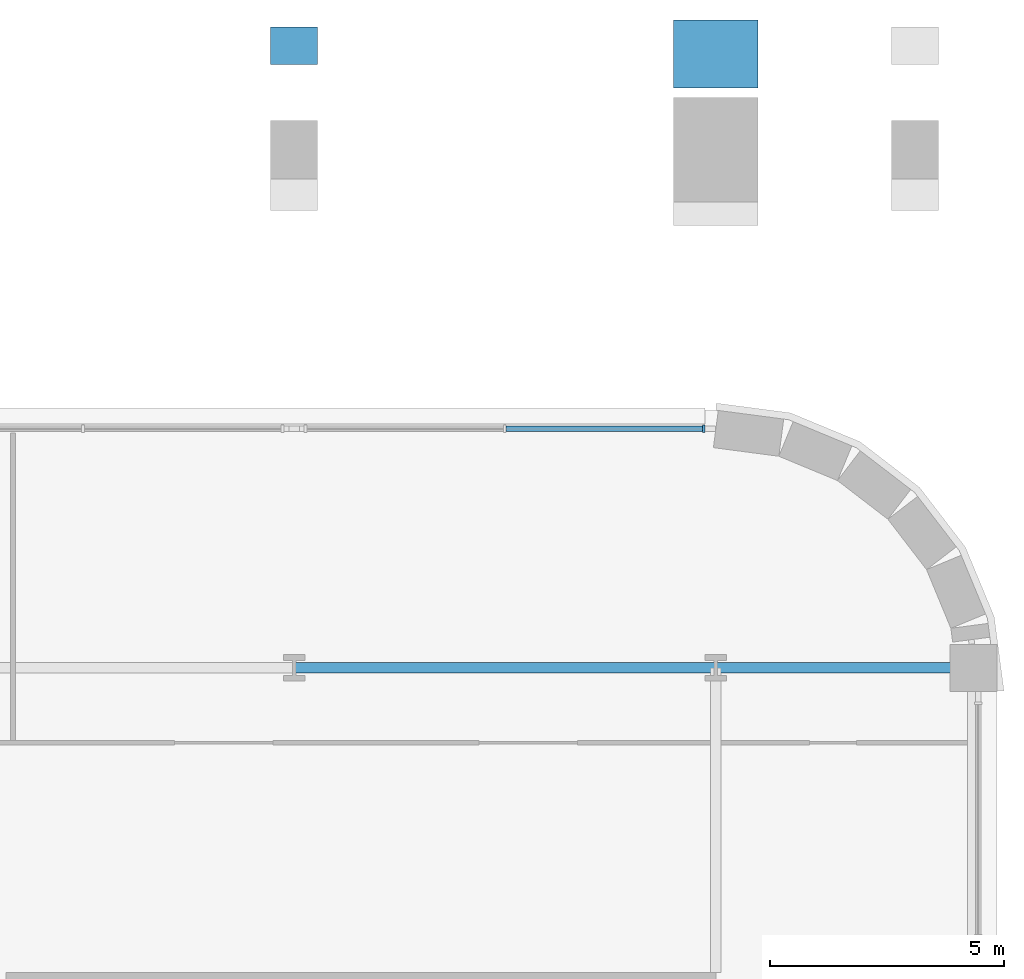
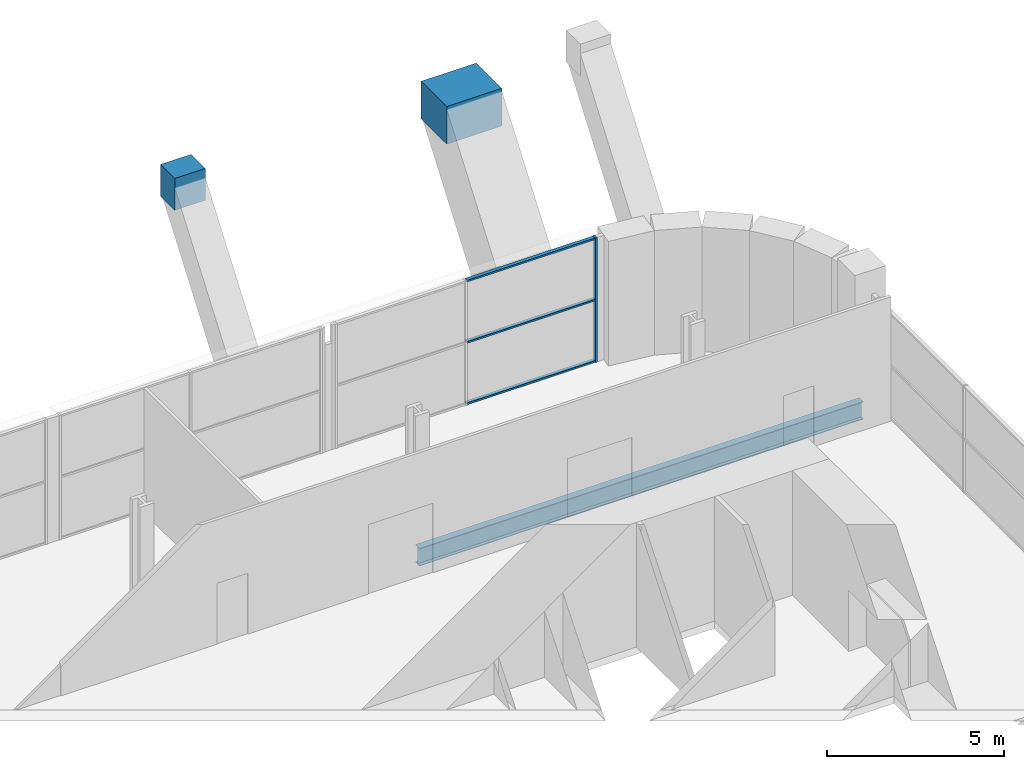
# One storey, part 11 of 24: 4 members, 3 beams, 1 element without a shape of its own.
"""IFC4 building model written with IfcOpenShell, lengths in metres."""

from ifc_helpers import new_model, si_unit, direction, frame, origin, origin_2d, place, context, subcontext, project, spatial, rectangle, i_section, extrude, material, material_profile, profile_set, type_object, element, aggregate, save


model = new_model("IFC4")

# Units and contexts
model_context = context("Model", 3, precision=1e-05, world=origin(), true_north=direction((0.0, 1.0)))
body_context = subcontext(model_context, "Body", "Model", "MODEL_VIEW")
ifc_project = project(units=[si_unit("LENGTHUNIT", "METRE"), si_unit("AREAUNIT", "SQUARE_METRE"), si_unit("VOLUMEUNIT", "CUBIC_METRE"), si_unit("PLANEANGLEUNIT", "RADIAN"), si_unit("MASSUNIT", "GRAM", prefix="KILO")], contexts=[model_context])

# Site, building, storey
site_placement = place(None, origin())
site = spatial("IfcSite", under=ifc_project, at=site_placement, CompositionType="ELEMENT")
building_placement = place(site_placement, origin())
building = spatial("IfcBuilding", under=site, at=building_placement, Name="Zellij Exchange Tower", CompositionType="ELEMENT")
storey_placement = place(building_placement, frame((0.0, 0.0, 48.0)))
storey = spatial("IfcBuildingStorey", under=building, at=storey_placement, Name="L08", CompositionType="ELEMENT", Elevation=48.0)

# Curtain wall, members
ifc_material_1 = material(Name="Aluminium frame, clear insulating glass", Category="aluminium")
curtain_wall_type = type_object("IfcCurtainWallType", Name="ENV-CW1 Sky-garden glazing", PredefinedType="NOTDEFINED", material=ifc_material_1)
curtain_wall_placement = place(storey_placement, origin())
curtain_wall = element("IfcCurtainWall", 1, at=curtain_wall_placement, inside=storey, type_object=curtain_wall_type, Name="cw.L08.14a.a", PredefinedType="NOTDEFINED")
ifc_material_2 = material(Name="Aluminium", Category="aluminium")
ifc_material_profile_1 = material_profile(ifc_material_2, rectangle(XDim=0.06005859375, YDim=0.159912109375, at=origin_2d()), Name="AL 60x160")
ifc_profile_set_1 = profile_set([ifc_material_profile_1], Name="Aluminium")
member_type_1 = type_object("IfcMemberType", Name="ENV-CW1M Mullion 60x160", PredefinedType="MULLION", material=ifc_profile_set_1)
member_1_placement = place(storey_placement, frame((26.743896484375, 9.60009765625, 0.0), z_axis=(0.0, 0.0, 1.0), x_axis=(-1.0, 0.0, 0.0)))
member_1 = element("IfcMember", 2, at=member_1_placement, type_object=member_type_1, Name="CW1 mullion 1", PredefinedType="MULLION", context=body_context, shape_type="SweptSolid", body=[
    extrude(rectangle(XDim=0.06005859375, YDim=0.159912109375, at=origin_2d()), origin(), (0.0, 0.0, 1.0), 4.300048828125),
])
ifc_material_profile_2 = material_profile(ifc_material_2, rectangle(XDim=0.1201171875, YDim=0.06005859375, at=origin_2d()), Name="AL 120x60")
ifc_profile_set_2 = profile_set([ifc_material_profile_2], Name="Aluminium")
member_type_2 = type_object("IfcMemberType", Name="ENV-CW1T Transom 120x60", PredefinedType="USERDEFINED", material=ifc_profile_set_2)
member_2_placement = place(storey_placement, frame((26.7138671875, 9.60009765625, 0.030029296875), z_axis=(-1.0, 0.0, 0.0), x_axis=(0.0, -1.0, 0.0)))
member_2 = element("IfcMember", 3, at=member_2_placement, type_object=member_type_2, Name="CW1 transom 1.1", ObjectType="TRANSOM", PredefinedType="USERDEFINED", context=body_context, shape_type="SweptSolid", body=[
    extrude(rectangle(XDim=0.1201171875, YDim=0.06005859375, at=origin_2d()), origin(), (0.0, 0.0, 1.0), 4.189697265625),
])
member_3_placement = place(storey_placement, frame((26.7138671875, 9.60009765625, 2.14990234375), z_axis=(-1.0, 0.0, 0.0), x_axis=(0.0, -1.0, 0.0)))
member_3 = element("IfcMember", 4, at=member_3_placement, type_object=member_type_2, Name="CW1 transom 1.2", ObjectType="TRANSOM", PredefinedType="USERDEFINED", context=body_context, shape_type="SweptSolid", body=[
    extrude(rectangle(XDim=0.1201171875, YDim=0.06005859375, at=origin_2d()), origin(), (0.0, 0.0, 1.0), 4.189697265625),
])
member_4_placement = place(storey_placement, frame((26.7138671875, 9.60009765625, 4.27001953125), z_axis=(-1.0, 0.0, 0.0), x_axis=(0.0, -1.0, 0.0)))
member_4 = element("IfcMember", 5, at=member_4_placement, type_object=member_type_2, Name="CW1 transom 1.3", ObjectType="TRANSOM", PredefinedType="USERDEFINED", context=body_context, shape_type="SweptSolid", body=[
    extrude(rectangle(XDim=0.1201171875, YDim=0.06005859375, at=origin_2d()), origin(), (0.0, 0.0, 1.0), 4.189697265625),
])
aggregate(curtain_wall, [member_1, member_2, member_3, member_4])

# Beams
ifc_material_3 = material(Name="Structural steel ASTM A992 Gr 50", Category="steel")
ifc_material_profile_3 = material_profile(ifc_material_3, i_section(OverallWidth=0.22900390625, OverallDepth=0.612060546875, WebThickness=0.011962890625, FlangeThickness=0.01953125, at=origin_2d()), Name="W24x84")
ifc_profile_set_3 = profile_set([ifc_material_profile_3], Name="Structural steel ASTM A992 Gr 50")
beam_type_1 = type_object("IfcBeamType", Name="STR-GIRDER W24x84", PredefinedType="BEAM", material=ifc_profile_set_3)
beam_1_placement = place(storey_placement, frame((18.0, 4.5, -0.55615234375), z_axis=(1.0, 0.0, 0.0), x_axis=(0.0, 1.0, 0.0)))
element("IfcBeam", 6, at=beam_1_placement, inside=storey, type_object=beam_type_1, Name="G4", PredefinedType="BEAM", context=body_context, shape_type="SweptSolid", body=[
    extrude(i_section(OverallWidth=0.22900390625, OverallDepth=0.612060546875, WebThickness=0.011962890625, FlangeThickness=0.01953125, at=origin_2d()), origin(), (0.0, 0.0, 1.0), 14.5),
])
ifc_material_4 = material(Name="Concrete C70/85", Category="concrete")
ifc_material_profile_4 = material_profile(ifc_material_4, rectangle(XDim=1.0, YDim=1.10009765625, at=origin_2d()), Name="STR-KNUCKLE BLOCK RC1000x1100 C70/85")
ifc_profile_set_4 = profile_set([ifc_material_profile_4], Name="Concrete C70/85")
beam_type_2 = type_object("IfcBeamType", Name="STR-KNUCKLE BLOCK RC1000x1100 C70/85", PredefinedType="BEAM", material=ifc_profile_set_4)
beam_2_placement = place(storey_placement, frame((18.0, 17.377685546875, 4.27490234375), z_axis=(0.0, 1.0, 0.0), x_axis=(-1.0, 0.0, 0.0)))
element("IfcBeam", 7, at=beam_2_placement, inside=storey, type_object=beam_type_2, Name="KB4", PredefinedType="BEAM", context=body_context, shape_type="SweptSolid", body=[
    extrude(rectangle(XDim=1.0, YDim=1.10009765625, at=origin_2d()), origin(), (0.0, 0.0, 1.0), 0.8037109375),
])
ifc_material_profile_5 = material_profile(ifc_material_4, rectangle(XDim=1.800048828125, YDim=1.300048828125, at=origin_2d()), Name="STR-KNUCKLE BLOCK RC1800x1300 C70/85")
ifc_profile_set_5 = profile_set([ifc_material_profile_5], Name="Concrete C70/85")
beam_type_3 = type_object("IfcBeamType", Name="STR-KNUCKLE BLOCK RC1800x1300 C70/85", PredefinedType="BEAM", material=ifc_profile_set_5)
beam_3_placement = place(storey_placement, frame((27.0, 16.8798828125, 3.949951171875), z_axis=(0.0, 1.0, 0.0), x_axis=(-1.0, 0.0, 0.0)))
element("IfcBeam", 8, at=beam_3_placement, inside=storey, type_object=beam_type_3, Name="KB9", PredefinedType="BEAM", context=body_context, shape_type="SweptSolid", body=[
    extrude(rectangle(XDim=1.800048828125, YDim=1.300048828125, at=origin_2d()), origin(), (0.0, 0.0, 1.0), 1.446533203125),
])

save(model, "model.ifc")
